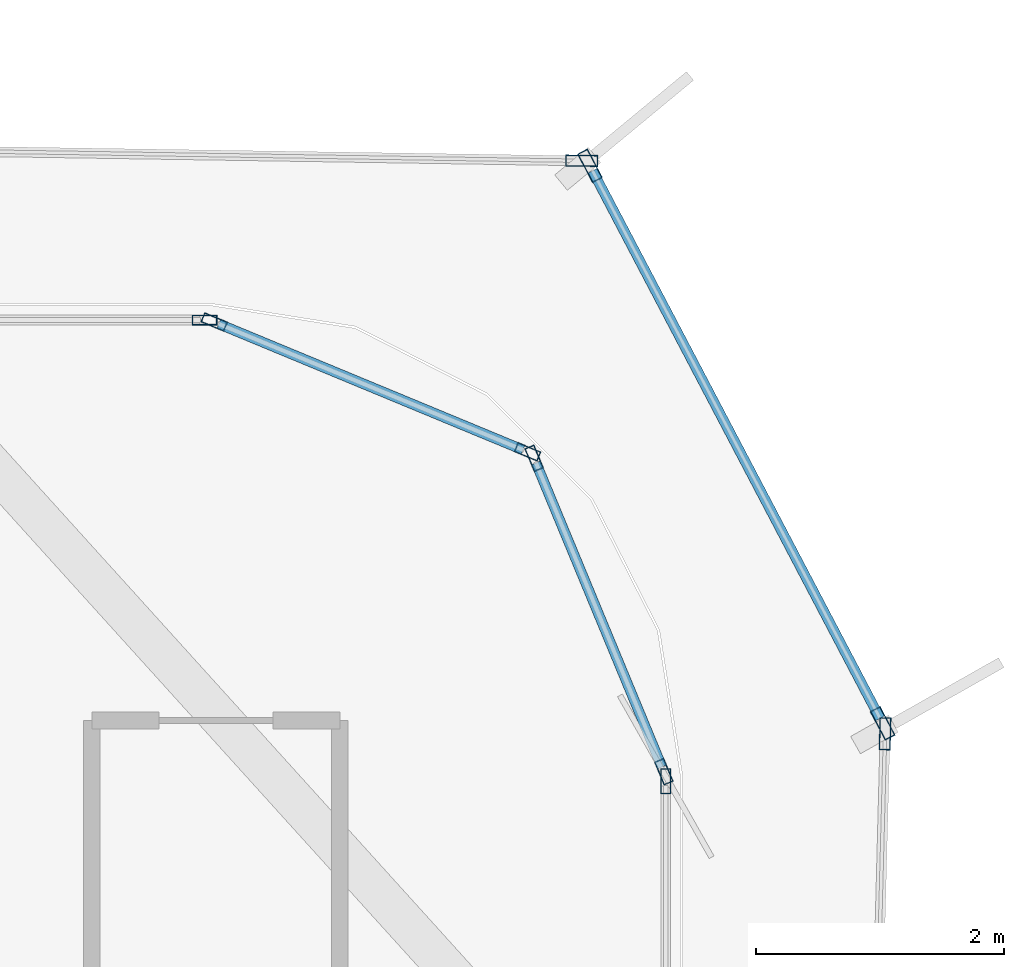
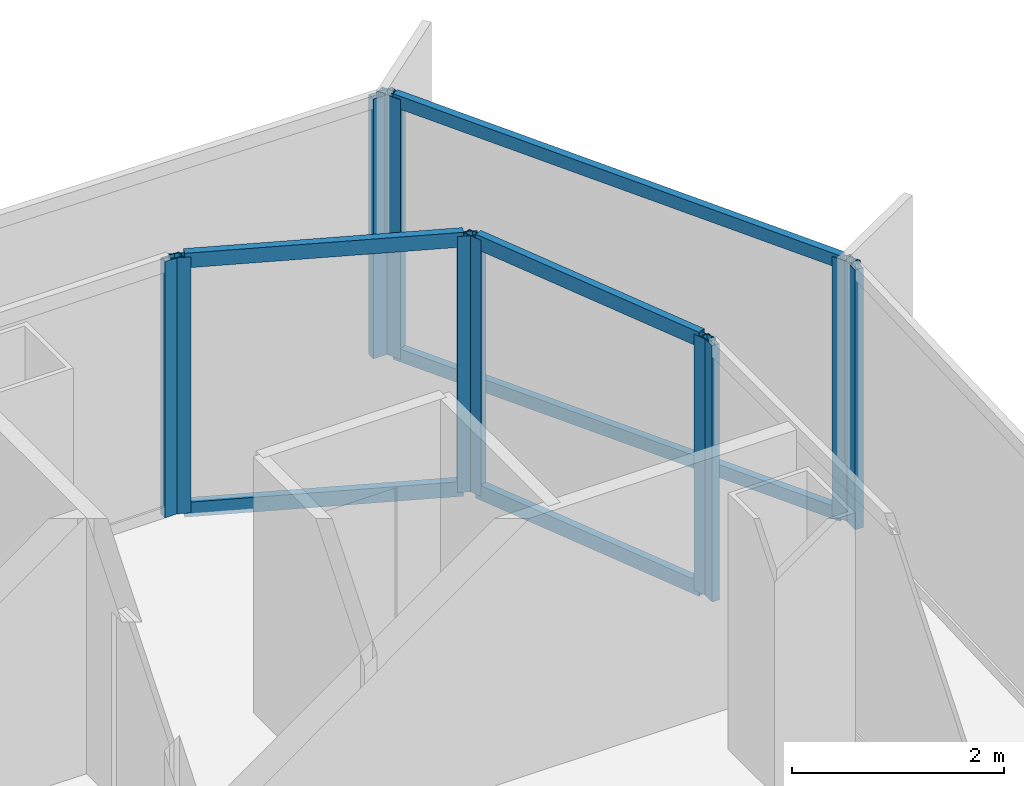
# One storey, part 14 of 21: 16 members, 7 elements without a shape of their own.
"""IFC4 building model written with IfcOpenShell, lengths in metres."""

import ifcopenshell
import ifcopenshell.guid

model = None  # the IFC model being written
_history = None  # IfcOwnerHistory: only IFC2X3 demands one
_inside = {}  # id of a spatial element -> (the spatial element, [elements in it])
_under = {}  # id of a project, library or spatial element -> (it, [spatial elements below it])
_declared = {}  # id of a project -> (the project, [libraries it declares])
_typed = {}  # id of a type object -> (the type object, [elements of that type])
_made_of = {}  # id of a material, layer set ... -> (it, [elements and type objects made of it])


def new_model(schema):
    """Start an empty IFC model of exactly this schema.

    Asked for "IFC4X3", IfcOpenShell would pick the latest addendum, in which some entities
    have other attributes; the version numbers below select the first issue.
    IFC2X3 requires an IfcOwnerHistory on every rooted entity: one is made here for all.
    """
    global model, _history
    if schema == "IFC4X3":
        model = ifcopenshell.file(schema_version=(4, 3, 0, 0))
    else:
        model = ifcopenshell.file(schema=schema)
    _inside.clear()
    _under.clear()
    _declared.clear()
    _typed.clear()
    _made_of.clear()
    _history = None
    if model.schema == "IFC2X3":
        org = make("IfcOrganization", Name="unknown")
        user = make(
            "IfcPersonAndOrganization",
            ThePerson=make("IfcPerson", FamilyName="unknown"),
            TheOrganization=org,
        )
        app = make(
            "IfcApplication",
            ApplicationDeveloper=org,
            Version="unknown",
            ApplicationFullName="unknown",
            ApplicationIdentifier="unknown",
        )
        _history = make(
            "IfcOwnerHistory",
            OwningUser=user,
            OwningApplication=app,
            ChangeAction="ADDED",
            CreationDate=0,
        )
    return model


def make(cls, **values):
    """One entity of the class cls with the attributes given. An attribute that is None is left unset."""
    return model.create_entity(
        cls, **{name: value for name, value in values.items() if value is not None}
    )


def rooted(cls, **values):
    """An entity with a GlobalId (a new one), such as an element, a storey or a relation."""
    return make(cls, GlobalId=ifcopenshell.guid.new(), OwnerHistory=_history, **values)


def si_unit(unit_type, name, prefix=None):
    """IfcSIUnit, for example si_unit("LENGTHUNIT", "METRE", prefix="MILLI")."""
    return make("IfcSIUnit", UnitType=unit_type, Prefix=prefix, Name=name)


def assignment(units):
    """IfcUnitAssignment: the units of a project."""
    return None if units is None else make("IfcUnitAssignment", Units=units)


def point(xyz):
    """IfcCartesianPoint."""
    return None if xyz is None else make("IfcCartesianPoint", Coordinates=xyz)


def direction(xyz):
    """IfcDirection."""
    return None if xyz is None else make("IfcDirection", DirectionRatios=xyz)


def frame(location, z_axis=None, x_axis=None):
    """IfcAxis2Placement3D, a coordinate frame: its origin and axes. An axis left out is left unset."""
    return make(
        "IfcAxis2Placement3D",
        Location=point(location),
        Axis=direction(z_axis),
        RefDirection=direction(x_axis),
    )


def frame_2d(location, x_axis=None):
    """IfcAxis2Placement2D, a coordinate frame in the plane: its origin and x axis."""
    return make(
        "IfcAxis2Placement2D", Location=point(location), RefDirection=direction(x_axis)
    )


def origin():
    """The frame at (0, 0, 0) with its axes left unset."""
    return frame((0.0, 0.0, 0.0))


def origin_2d():
    """The frame at (0, 0) in the plane with its x axis left unset."""
    return frame_2d((0.0, 0.0))


def place(relative_to, where):
    """IfcLocalPlacement: puts the frame where relative to a parent placement (None: the world)."""
    return make(
        "IfcLocalPlacement", PlacementRelTo=relative_to, RelativePlacement=where
    )


def context(
    kind, dimensions, precision=None, world=None, true_north=None, identifier=None
):
    """IfcGeometricRepresentationContext, for example the 3D "Model" context."""
    return make(
        "IfcGeometricRepresentationContext",
        ContextIdentifier=identifier,
        ContextType=kind,
        CoordinateSpaceDimension=dimensions,
        Precision=precision,
        WorldCoordinateSystem=world,
        TrueNorth=true_north,
    )


def subcontext(parent, identifier, kind, view, scale=None):
    """IfcGeometricRepresentationSubContext, for example "Body" below "Model"."""
    return make(
        "IfcGeometricRepresentationSubContext",
        ContextIdentifier=identifier,
        ContextType=kind,
        ParentContext=parent,
        TargetScale=scale,
        TargetView=view,
    )


def project(units=None, contexts=None):
    """IfcProject with its units and contexts."""
    return rooted(
        "IfcProject",
        Name="project",
        RepresentationContexts=contexts,
        UnitsInContext=assignment(units),
    )


def spatial(cls, under=None, at=None, **own):
    """A site, building, storey or space (cls), placed at a placement, below another one or the project."""
    s = rooted(cls, ObjectPlacement=at, **own)
    if under is not None:
        _under.setdefault(under.id(), (under, []))[1].append(s)
    return s


def profile(cls, at=None, kind="AREA", **sizes):
    """A parametric profile (cls). Its sizes go by their IFC names, for example OverallWidth=200.0."""
    return make(cls, ProfileType=kind, Position=at, **sizes)


def hollow_rectangle(**sizes):
    """IfcRectangleHollowProfileDef."""
    return profile("IfcRectangleHollowProfileDef", **sizes)


def extrude(swept, where, along, depth):
    """IfcExtrudedAreaSolid: the profile swept, set in the frame where, extruded along a direction by depth."""
    return make(
        "IfcExtrudedAreaSolid",
        SweptArea=swept,
        Position=where,
        ExtrudedDirection=direction(along),
        Depth=depth,
    )


def shape(context_of_items, identifier, shape_type, items):
    """IfcShapeRepresentation: the items that make up one representation, for example the "Body"."""
    return make(
        "IfcShapeRepresentation",
        ContextOfItems=context_of_items,
        RepresentationIdentifier=identifier,
        RepresentationType=shape_type,
        Items=items,
    )


def source(mapping_origin, context_of_items, identifier, shape_type, items):
    """IfcRepresentationMap: a shape defined once, which mapped items show again and again."""
    return make(
        "IfcRepresentationMap",
        MappingOrigin=mapping_origin,
        MappedRepresentation=shape(context_of_items, identifier, shape_type, items),
    )


def transform(
    local_origin,
    x_axis=None,
    y_axis=None,
    z_axis=None,
    scale=None,
    scale2=None,
    scale3=None,
    uniform=True,
):
    """IfcCartesianTransformationOperator3D, or its non-uniform kind. x_axis, y_axis, z_axis: its Axis1, 2, 3."""
    if uniform:
        return make(
            "IfcCartesianTransformationOperator3D",
            Axis1=direction(x_axis),
            Axis2=direction(y_axis),
            LocalOrigin=point(local_origin),
            Scale=scale,
            Axis3=direction(z_axis),
        )
    return make(
        "IfcCartesianTransformationOperator3DnonUniform",
        Axis1=direction(x_axis),
        Axis2=direction(y_axis),
        LocalOrigin=point(local_origin),
        Scale=scale,
        Axis3=direction(z_axis),
        Scale2=scale2,
        Scale3=scale3,
    )


def mapped(mapping_source, mapping_target):
    """IfcMappedItem: shows the shape of a source again, moved by a transform."""
    return make(
        "IfcMappedItem", MappingSource=mapping_source, MappingTarget=mapping_target
    )


def material(Name=None, Category=None):
    """IfcMaterial."""
    return make("IfcMaterial", Name=Name, Category=Category)


def layer(
    of_material, thickness, ventilated=None, Name=None, Category=None, Priority=None
):
    """IfcMaterialLayer: one layer of a wall or slab, of a material (None: an air gap)."""
    return make(
        "IfcMaterialLayer",
        Material=of_material,
        LayerThickness=thickness,
        IsVentilated=ventilated,
        Name=Name,
        Category=Category,
        Priority=Priority,
    )


def layer_set(layers, Name=None):
    """IfcMaterialLayerSet."""
    return make("IfcMaterialLayerSet", MaterialLayers=layers, LayerSetName=Name)


def material_profile(
    of_material, cross_section, Name=None, Category=None, Priority=None
):
    """IfcMaterialProfile: a cross section and its material."""
    return make(
        "IfcMaterialProfile",
        Name=Name,
        Material=of_material,
        Profile=cross_section,
        Priority=Priority,
        Category=Category,
    )


def profile_set(profiles, Name=None, composite=None):
    """IfcMaterialProfileSet."""
    return make(
        "IfcMaterialProfileSet",
        Name=Name,
        MaterialProfiles=profiles,
        CompositeProfile=composite,
    )


def made_of(thing, what):
    """Note that an element or type object is made of a material, layer set ...; save() writes the relation."""
    if what is not None:
        _made_of.setdefault(what.id(), (what, []))[1].append(thing)
    return thing


def type_object(cls, material=None, **own):
    """A type object (cls), such as IfcWallType, which elements share."""
    return made_of(rooted(cls, **own), material)


def element(
    cls,
    number,
    at=None,
    inside=None,
    cuts=None,
    type_object=None,
    material=None,
    context=None,
    identifier="Body",
    shape_type=None,
    held_by="IfcProductDefinitionShape",
    body=None,
    shapes=None,
    **own,
):
    """One element of the class cls, such as IfcWall. Its Tag is "e" and its number.

    at: its placement. inside: the storey or other place that contains it. cuts: it is an
    opening in that element (IfcRelVoidsElement). A single representation is given by context,
    identifier, shape_type and body (its items); several are given by shapes. held_by: the class
    of the entity that holds the representations. save() writes the other relations.
    """
    e = rooted(cls, Tag="e%d" % number, ObjectPlacement=at, **own)
    if body is not None:
        shapes = [shape(context, identifier, shape_type, body)]
    if shapes is not None:
        e.Representation = make(held_by, Representations=shapes)
    if inside is not None:
        _inside.setdefault(inside.id(), (inside, []))[1].append(e)
    if cuts is not None:
        rooted(
            "IfcRelVoidsElement", RelatingBuildingElement=cuts, RelatedOpeningElement=e
        )
    if type_object is not None:
        _typed.setdefault(type_object.id(), (type_object, []))[1].append(e)
    return made_of(e, material)


def aggregate(whole, parts):
    """IfcRelAggregates: a whole, such as a stair, and the parts it consists of."""
    return rooted("IfcRelAggregates", RelatingObject=whole, RelatedObjects=parts)


def save(model, path):
    """Write the relations noted so far, then the file.

    IfcRelAggregates (storeys below a building ...), IfcRelContainedInSpatialStructure (elements
    in a storey), IfcRelDefinesByType, IfcRelAssociatesMaterial and IfcRelDeclares: one each for
    every whole, place, type object, material and project.
    """
    for whole, parts in _under.values():
        aggregate(whole, parts)
    for where, things in _inside.values():
        rooted(
            "IfcRelContainedInSpatialStructure",
            RelatedElements=things,
            RelatingStructure=where,
        )
    for kind, things in _typed.values():
        rooted("IfcRelDefinesByType", RelatedObjects=things, RelatingType=kind)
    for what, things in _made_of.values():
        rooted("IfcRelAssociatesMaterial", RelatedObjects=things, RelatingMaterial=what)
    for by, libraries in _declared.values():
        rooted("IfcRelDeclares", RelatingContext=by, RelatedDefinitions=libraries)
    model.write(path)


model = new_model("IFC4")

# Units and contexts
model_context = context("Model", 3, precision=1e-05, world=origin(), true_north=direction((0.0, 1.0)))
body_context = subcontext(model_context, "Body", "Model", "MODEL_VIEW")
ifc_project = project(units=[si_unit("LENGTHUNIT", "METRE"), si_unit("AREAUNIT", "SQUARE_METRE"), si_unit("VOLUMEUNIT", "CUBIC_METRE"), si_unit("PLANEANGLEUNIT", "RADIAN"), si_unit("MASSUNIT", "GRAM", prefix="KILO")], contexts=[model_context])

# Site, building, storey
site_placement = place(None, origin())
site = spatial("IfcSite", under=ifc_project, at=site_placement, CompositionType="ELEMENT")
building_placement = place(site_placement, origin())
building = spatial("IfcBuilding", under=site, at=building_placement, Name="Kolveth Station Tower", CompositionType="ELEMENT")
storey_placement = place(building_placement, frame((0.0, 0.0, 134.300048828125)))
storey = spatial("IfcBuildingStorey", under=building, at=storey_placement, Name="L37", CompositionType="ELEMENT", Elevation=134.300048828125)

# Curtain wall, member
ifc_material_1 = material(Name="Aluminium 6063-T6 and low-E dark glass", Category="aluminium")
ifc_layer_1 = layer(ifc_material_1, 0.18994140625)
ifc_layer_set_1 = layer_set([ifc_layer_1], Name="Aluminium 6063-T6 and low-E dark glass")
curtain_wall_type_1 = type_object("IfcCurtainWallType", Name="CurtainWall_CW-Z2", PredefinedType="NOTDEFINED", material=ifc_layer_set_1)
curtain_wall_1_placement = place(storey_placement, origin())
curtain_wall_1 = element("IfcCurtainWall", 1, at=curtain_wall_1_placement, inside=storey, type_object=curtain_wall_type_1, Name="L37 Inner Thermal Curtain Wall 3", PredefinedType="NOTDEFINED")
ifc_material_2 = material(Name="Black anodized aluminium 6063-T6", Category="aluminium")
ifc_material_profile_1 = material_profile(ifc_material_2, hollow_rectangle(XDim=0.080078125, YDim=0.199951171875, WallThickness=0.0048828125, at=origin_2d()), Name="ALU-80x200x5")
ifc_profile_set_1 = profile_set([ifc_material_profile_1], Name="Black anodized aluminium 6063-T6")
member_type_1 = type_object("IfcMemberType", Name="Mullion_ML2", PredefinedType="MULLION", material=ifc_profile_set_1)
shared_shape_1 = source(origin(), body_context, "Body", "SweptSolid", [
    extrude(hollow_rectangle(XDim=0.080078125, YDim=0.199951171875, WallThickness=0.0048828125, at=origin_2d()), origin(), (0.0, 0.0, 1.0), 2.949951171875),
])
member_1_placement = place(storey_placement, frame((46.8798828125, 31.4599609375, 0.0), z_axis=(0.0, 0.0, 1.0), x_axis=(-1.0, 0.0, 0.0)))
member_1 = element("IfcMember", 2, at=member_1_placement, type_object=member_type_1, Name="CW-Z2 mullion 2", PredefinedType="MULLION", context=body_context, shape_type="MappedRepresentation", body=[
    mapped(shared_shape_1, transform((0.0, 0.0, 0.0), x_axis=(1.0, 0.0, 0.0), y_axis=(0.0, 1.0, 0.0), z_axis=(0.0, 0.0, 1.0), scale=1.0)),
])
aggregate(curtain_wall_1, [member_1])

# Curtain wall, members
curtain_wall_2_placement = place(storey_placement, origin())
curtain_wall_2 = element("IfcCurtainWall", 3, at=curtain_wall_2_placement, inside=storey, type_object=curtain_wall_type_1, Name="L37 Inner Thermal Curtain Wall 4", PredefinedType="NOTDEFINED")
member_2_placement = place(storey_placement, frame((46.86474609375, 31.536865234375, 0.0), z_axis=(0.0, 0.0, 1.0), x_axis=(-0.923887883787, -0.38266326998, 0.0)))
member_2 = element("IfcMember", 4, at=member_2_placement, type_object=member_type_1, Name="CW-Z2 mullion 1", PredefinedType="MULLION", context=body_context, shape_type="MappedRepresentation", body=[
    mapped(shared_shape_1, transform((0.0, 0.0, 0.0), x_axis=(1.0, 0.0, 0.0), y_axis=(0.0, 1.0, 0.0), z_axis=(0.0, 0.0, 1.0), scale=1.0)),
])
member_3_placement = place(storey_placement, frame((45.817626953125, 34.065185546875, 0.0), z_axis=(0.0, 0.0, 1.0), x_axis=(-0.923887883787, -0.38266326998, 0.0)))
member_3 = element("IfcMember", 5, at=member_3_placement, type_object=member_type_1, Name="CW-Z2 mullion 2", PredefinedType="MULLION", context=body_context, shape_type="MappedRepresentation", body=[
    mapped(shared_shape_1, transform((0.0, 0.0, 0.0), x_axis=(1.0, 0.0, 0.0), y_axis=(0.0, 1.0, 0.0), z_axis=(0.0, 0.0, 1.0), scale=1.0)),
])

curtain_wall_3_placement = place(storey_placement, origin())
curtain_wall_3 = element("IfcCurtainWall", 6, at=curtain_wall_3_placement, inside=storey, type_object=curtain_wall_type_1, Name="L37 Inner Thermal Curtain Wall 5", PredefinedType="NOTDEFINED")
member_4_placement = place(storey_placement, frame((45.76513671875, 34.117431640625, 0.0), z_axis=(0.0, 0.0, 1.0), x_axis=(-0.38266326998, -0.923887883787, 0.0)))
member_4 = element("IfcMember", 7, at=member_4_placement, type_object=member_type_1, Name="CW-Z2 mullion 1", PredefinedType="MULLION", context=body_context, shape_type="MappedRepresentation", body=[
    mapped(shared_shape_1, transform((0.0, 0.0, 0.0), x_axis=(1.0, 0.0, 0.0), y_axis=(0.0, 1.0, 0.0), z_axis=(0.0, 0.0, 1.0), scale=1.0)),
])
member_5_placement = place(storey_placement, frame((43.237060546875, 35.164794921875, 0.0), z_axis=(0.0, 0.0, 1.0), x_axis=(-0.38266326998, -0.923887883787, 0.0)))
member_5 = element("IfcMember", 8, at=member_5_placement, type_object=member_type_1, Name="CW-Z2 mullion 2", PredefinedType="MULLION", context=body_context, shape_type="MappedRepresentation", body=[
    mapped(shared_shape_1, transform((0.0, 0.0, 0.0), x_axis=(1.0, 0.0, 0.0), y_axis=(0.0, 1.0, 0.0), z_axis=(0.0, 0.0, 1.0), scale=1.0)),
])

# Curtain wall, member
curtain_wall_4_placement = place(storey_placement, origin())
curtain_wall_4 = element("IfcCurtainWall", 9, at=curtain_wall_4_placement, inside=storey, type_object=curtain_wall_type_1, Name="L37 Inner Thermal Curtain Wall 6", PredefinedType="NOTDEFINED")
member_6_placement = place(storey_placement, frame((43.159912109375, 35.179931640625, 0.0), z_axis=(0.0, 0.0, 1.0), x_axis=(0.0, -1.0, 0.0)))
member_6 = element("IfcMember", 10, at=member_6_placement, type_object=member_type_1, Name="CW-Z2 mullion 1", PredefinedType="MULLION", context=body_context, shape_type="MappedRepresentation", body=[
    mapped(shared_shape_1, transform((0.0, 0.0, 0.0), x_axis=(1.0, 0.0, 0.0), y_axis=(0.0, 1.0, 0.0), z_axis=(0.0, 0.0, 1.0), scale=1.0)),
])
aggregate(curtain_wall_4, [member_6])

# Member
ifc_material_profile_2 = material_profile(ifc_material_2, hollow_rectangle(XDim=0.080078125, YDim=0.169921875, WallThickness=0.0048828125, at=origin_2d()), Name="ALU-80x170x5")
ifc_profile_set_2 = profile_set([ifc_material_profile_2], Name="Black anodized aluminium 6063-T6")
member_type_2 = type_object("IfcMemberType", Name="Transom_TR2", PredefinedType="USERDEFINED", material=ifc_profile_set_2)
shared_shape_2 = source(origin(), body_context, "Body", "SweptSolid", [
    extrude(hollow_rectangle(XDim=0.080078125, YDim=0.169921875, WallThickness=0.0048828125, at=origin_2d()), origin(), (0.0, 0.0, 1.0), 2.656494140625),
])
member_7_placement = place(storey_placement, frame((46.849365234375, 31.573974609375, 0.0400390625), z_axis=(-0.382676455475, 0.923882422403, 0.0), x_axis=(-0.923882422403, -0.382676455475, 0.0)))
member_7 = element("IfcMember", 11, at=member_7_placement, type_object=member_type_2, Name="CW-Z2 transom 1.1", ObjectType="TRANSOM", PredefinedType="USERDEFINED", context=body_context, shape_type="MappedRepresentation", body=[
    mapped(shared_shape_2, transform((0.0, 0.0, 0.0), x_axis=(1.0, 0.0, 0.0), y_axis=(0.0, 1.0, 0.0), z_axis=(0.0, 0.0, 1.0), scale=1.0)),
])

member_8_placement = place(storey_placement, frame((46.849365234375, 31.573974609375, 2.909912109375), z_axis=(-0.382676455475, 0.923882422403, 0.0), x_axis=(-0.923882422403, -0.382676455475, 0.0)))
member_8 = element("IfcMember", 12, at=member_8_placement, type_object=member_type_2, Name="CW-Z2 transom 1.2", ObjectType="TRANSOM", PredefinedType="USERDEFINED", context=body_context, shape_type="MappedRepresentation", body=[
    mapped(shared_shape_2, transform((0.0, 0.0, 0.0), x_axis=(1.0, 0.0, 0.0), y_axis=(0.0, 1.0, 0.0), z_axis=(0.0, 0.0, 1.0), scale=1.0)),
])

aggregate(curtain_wall_2, [member_2, member_3, member_7, member_8])

member_9_placement = place(storey_placement, frame((45.728271484375, 34.1328125, 0.0400390625), z_axis=(-0.923882422403, 0.382676455475, 0.0), x_axis=(-0.382676455475, -0.923882422403, 0.0)))
member_9 = element("IfcMember", 13, at=member_9_placement, type_object=member_type_2, Name="CW-Z2 transom 1.1", ObjectType="TRANSOM", PredefinedType="USERDEFINED", context=body_context, shape_type="MappedRepresentation", body=[
    mapped(shared_shape_2, transform((0.0, 0.0, 0.0), x_axis=(1.0, 0.0, 0.0), y_axis=(0.0, 1.0, 0.0), z_axis=(0.0, 0.0, 1.0), scale=1.0)),
])

member_10_placement = place(storey_placement, frame((45.728271484375, 34.1328125, 2.909912109375), z_axis=(-0.923882422403, 0.382676455475, 0.0), x_axis=(-0.382676455475, -0.923882422403, 0.0)))
member_10 = element("IfcMember", 14, at=member_10_placement, type_object=member_type_2, Name="CW-Z2 transom 1.2", ObjectType="TRANSOM", PredefinedType="USERDEFINED", context=body_context, shape_type="MappedRepresentation", body=[
    mapped(shared_shape_2, transform((0.0, 0.0, 0.0), x_axis=(1.0, 0.0, 0.0), y_axis=(0.0, 1.0, 0.0), z_axis=(0.0, 0.0, 1.0), scale=1.0)),
])

aggregate(curtain_wall_3, [member_4, member_5, member_9, member_10])

# Curtain wall, member
ifc_material_3 = material(Name="Black anodized aluminium 6063-T6 and dark solar glass", Category="aluminium")
ifc_layer_2 = layer(ifc_material_3, 0.159912109375)
ifc_layer_set_2 = layer_set([ifc_layer_2], Name="Black anodized aluminium 6063-T6 and dark solar glass")
curtain_wall_type_2 = type_object("IfcCurtainWallType", Name="OUTER SKIN CW-OS", PredefinedType="NOTDEFINED", material=ifc_layer_set_2)
curtain_wall_5_placement = place(storey_placement, origin())
curtain_wall_5 = element("IfcCurtainWall", 15, at=curtain_wall_5_placement, inside=storey, type_object=curtain_wall_type_2, Name="L37 Outer Ventilated Skin Curtain Wall 2", PredefinedType="NOTDEFINED")
ifc_material_profile_3 = material_profile(ifc_material_2, hollow_rectangle(XDim=0.090087890625, YDim=0.260009765625, WallThickness=0.0048828125, at=origin_2d()), Name="ALU-90x260x5")
ifc_profile_set_3 = profile_set([ifc_material_profile_3], Name="Black anodized aluminium 6063-T6")
member_type_3 = type_object("IfcMemberType", Name="FIN MULLION ML-OS", PredefinedType="MULLION", material=ifc_profile_set_3)
shared_shape_3 = source(origin(), body_context, "Body", "SweptSolid", [
    extrude(hollow_rectangle(XDim=0.090087890625, YDim=0.260009765625, WallThickness=0.0048828125, at=origin_2d()), origin(), (0.0, 0.0, 1.0), 2.989990234375),
])
member_11_placement = place(storey_placement, frame((48.64892578125, 31.842529296875, 0.0), z_axis=(0.0, 0.0, 1.0), x_axis=(-0.9996588754, 0.026117672817, 0.0)))
member_11 = element("IfcMember", 16, at=member_11_placement, type_object=member_type_3, Name="CW-OS mullion 2", PredefinedType="MULLION", context=body_context, shape_type="MappedRepresentation", body=[
    mapped(shared_shape_3, transform((0.0, 0.0, 0.0), x_axis=(1.0, 0.0, 0.0), y_axis=(0.0, 1.0, 0.0), z_axis=(0.0, 0.0, 1.0), scale=1.0)),
])
aggregate(curtain_wall_5, [member_11])

# Curtain wall, members
curtain_wall_6_placement = place(storey_placement, origin())
curtain_wall_6 = element("IfcCurtainWall", 17, at=curtain_wall_6_placement, inside=storey, type_object=curtain_wall_type_2, Name="L37 Outer Ventilated Skin Curtain Wall 3", PredefinedType="NOTDEFINED")
member_12_placement = place(storey_placement, frame((48.629150390625, 31.92724609375, 0.0), z_axis=(0.0, 0.0, 1.0), x_axis=(-0.885411636523, -0.464807738651, 0.0)))
member_12 = element("IfcMember", 18, at=member_12_placement, type_object=member_type_3, Name="CW-OS mullion 1", PredefinedType="MULLION", context=body_context, shape_type="MappedRepresentation", body=[
    mapped(shared_shape_3, transform((0.0, 0.0, 0.0), x_axis=(1.0, 0.0, 0.0), y_axis=(0.0, 1.0, 0.0), z_axis=(0.0, 0.0, 1.0), scale=1.0)),
])
member_13_placement = place(storey_placement, frame((46.268310546875, 36.424560546875, 0.0), z_axis=(0.0, 0.0, 1.0), x_axis=(-0.885411636523, -0.464807738651, 0.0)))
member_13 = element("IfcMember", 19, at=member_13_placement, type_object=member_type_3, Name="CW-OS mullion 2", PredefinedType="MULLION", context=body_context, shape_type="MappedRepresentation", body=[
    mapped(shared_shape_3, transform((0.0, 0.0, 0.0), x_axis=(1.0, 0.0, 0.0), y_axis=(0.0, 1.0, 0.0), z_axis=(0.0, 0.0, 1.0), scale=1.0)),
])

# Curtain wall, member
curtain_wall_7_placement = place(storey_placement, origin())
curtain_wall_7 = element("IfcCurtainWall", 20, at=curtain_wall_7_placement, inside=storey, type_object=curtain_wall_type_2, Name="L37 Outer Ventilated Skin Curtain Wall 4", PredefinedType="NOTDEFINED")
member_14_placement = place(storey_placement, frame((46.202392578125, 36.465087890625, 0.0), z_axis=(0.0, 0.0, 1.0), x_axis=(-0.015513103427, -0.999879664571, 0.0)))
member_14 = element("IfcMember", 21, at=member_14_placement, type_object=member_type_3, Name="CW-OS mullion 1", PredefinedType="MULLION", context=body_context, shape_type="MappedRepresentation", body=[
    mapped(shared_shape_3, transform((0.0, 0.0, 0.0), x_axis=(1.0, 0.0, 0.0), y_axis=(0.0, 1.0, 0.0), z_axis=(0.0, 0.0, 1.0), scale=1.0)),
])
aggregate(curtain_wall_7, [member_14])

# Member
ifc_material_profile_4 = material_profile(ifc_material_2, hollow_rectangle(XDim=0.080078125, YDim=0.14990234375, WallThickness=0.0048828125, at=origin_2d()), Name="ALU-80x150x5")
ifc_profile_set_4 = profile_set([ifc_material_profile_4], Name="Black anodized aluminium 6063-T6")
member_type_4 = type_object("IfcMemberType", Name="Transom_TR-OS", PredefinedType="USERDEFINED", material=ifc_profile_set_4)
shared_shape_4 = source(origin(), body_context, "Body", "SweptSolid", [
    extrude(hollow_rectangle(XDim=0.080078125, YDim=0.14990234375, WallThickness=0.0048828125, at=origin_2d()), origin(), (0.0, 0.0, 1.0), 4.9892578125),
])
member_15_placement = place(storey_placement, frame((48.608154296875, 31.967041015625, 0.0400390625), z_axis=(-0.464820472759, 0.885404951479, 0.0), x_axis=(-0.885404951479, -0.464820472759, 0.0)))
member_15 = element("IfcMember", 22, at=member_15_placement, type_object=member_type_4, Name="CW-OS transom 1.1", ObjectType="TRANSOM", PredefinedType="USERDEFINED", context=body_context, shape_type="MappedRepresentation", body=[
    mapped(shared_shape_4, transform((0.0, 0.0, 0.0), x_axis=(1.0, 0.0, 0.0), y_axis=(0.0, 1.0, 0.0), z_axis=(0.0, 0.0, 1.0), scale=1.0)),
])

member_16_placement = place(storey_placement, frame((48.608154296875, 31.967041015625, 2.949951171875), z_axis=(-0.464820472759, 0.885404951479, 0.0), x_axis=(-0.885404951479, -0.464820472759, 0.0)))
member_16 = element("IfcMember", 23, at=member_16_placement, type_object=member_type_4, Name="CW-OS transom 1.2", ObjectType="TRANSOM", PredefinedType="USERDEFINED", context=body_context, shape_type="MappedRepresentation", body=[
    mapped(shared_shape_4, transform((0.0, 0.0, 0.0), x_axis=(1.0, 0.0, 0.0), y_axis=(0.0, 1.0, 0.0), z_axis=(0.0, 0.0, 1.0), scale=1.0)),
])

aggregate(curtain_wall_6, [member_12, member_13, member_15, member_16])

save(model, "model.ifc")
